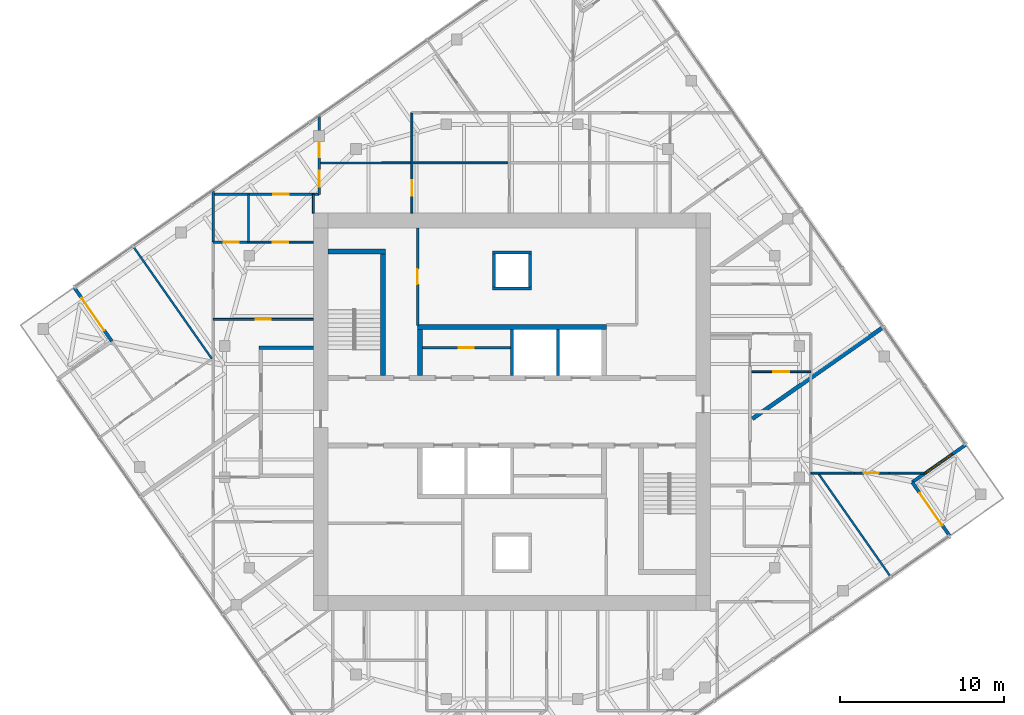
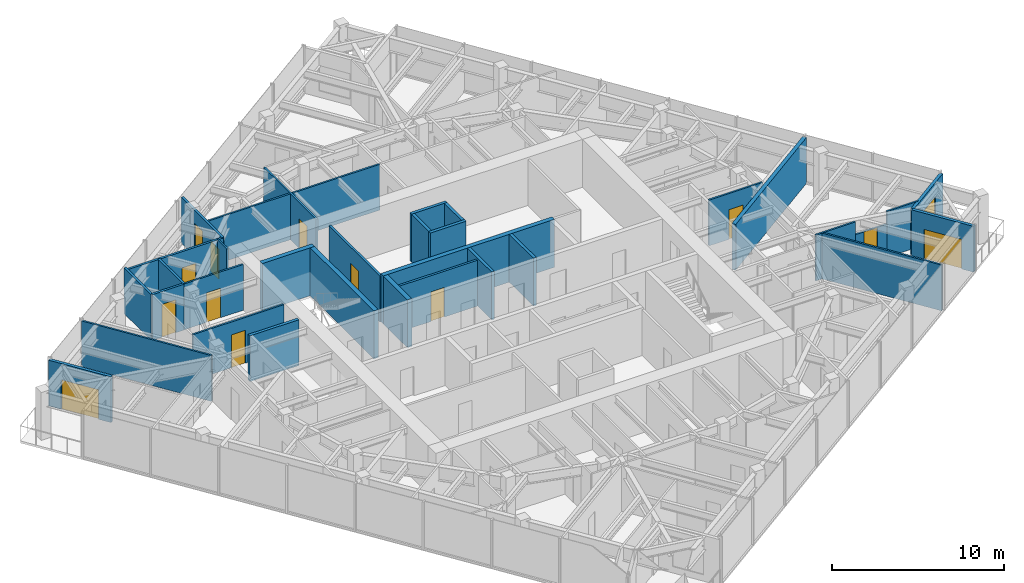
# One storey, part 10 of 13: 33 walls, 13 doors, 1 window, 14 openings.
"""IFC4 building model written with IfcOpenShell, lengths in metres."""

from ifc_helpers import new_model, si_unit, direction, frame, frame_2d, origin, place, context, subcontext, project, spatial, rectangle, extrude, material, layer, layer_set, type_object, element, fill, save


model = new_model("IFC4")

# Units and contexts
model_context = context("Model", 3, precision=1e-05, world=origin(), true_north=direction((0.0, 1.0)))
body_context = subcontext(model_context, "Body", "Model", "MODEL_VIEW")
ifc_project = project(units=[si_unit("LENGTHUNIT", "METRE"), si_unit("AREAUNIT", "SQUARE_METRE"), si_unit("VOLUMEUNIT", "CUBIC_METRE"), si_unit("PLANEANGLEUNIT", "RADIAN"), si_unit("MASSUNIT", "GRAM", prefix="KILO")], contexts=[model_context])

# Site, building, storey
site_placement = place(None, origin())
site = spatial("IfcSite", under=ifc_project, at=site_placement, CompositionType="ELEMENT")
building_placement = place(site_placement, origin())
building = spatial("IfcBuilding", under=site, at=building_placement, Name="Torsade Residences", CompositionType="ELEMENT")
storey_placement = place(building_placement, frame((0.0, 0.0, 260.800048828125)))
storey = spatial("IfcBuildingStorey", under=building, at=storey_placement, Name="L72", CompositionType="ELEMENT", Elevation=260.800048828125)

# Walls
ifc_material_1 = material(Name="Concrete 80 MPa", Category="concrete")
ifc_layer_1 = layer(ifc_material_1, 0.300048828125)
ifc_layer_set_1 = layer_set([ifc_layer_1], Name="Concrete 80 MPa")
wall_type_1 = type_object("IfcWallType", Name="CORE INTERNAL WALL 300", PredefinedType="SHEAR", material=ifc_layer_set_1)
wall_1_placement = place(storey_placement, frame((34.25, 35.14990234375, 0.0), z_axis=(0.0, 0.0, 1.0), x_axis=(1.0, 0.0, 0.0)))
element("IfcWall", 1, at=wall_1_placement, inside=storey, type_object=wall_type_1, Name="Core wall BN L72", PredefinedType="SHEAR", context=body_context, shape_type="SweptSolid", body=[
    extrude(rectangle(XDim=11.5, YDim=0.300048828125, at=frame_2d((5.75, 0.0))), origin(), (0.0, 0.0, 1.0), 3.39990234375),
])
wall_2_placement = place(storey_placement, frame((34.39990234375, 32.199951171875, 0.0), z_axis=(0.0, 0.0, 1.0), x_axis=(0.0, 1.0, 0.0)))
element("IfcWall", 2, at=wall_2_placement, inside=storey, type_object=wall_type_1, Name="Core wall DN0 L72", PredefinedType="SHEAR", context=body_context, shape_type="SweptSolid", body=[
    extrude(rectangle(XDim=2.800048828125, YDim=0.300048828125, at=frame_2d((1.39990234375, 0.0))), origin(), (0.0, 0.0, 1.0), 3.39990234375),
])
wall_3_placement = place(storey_placement, frame((32.14990234375, 32.199951171875, 0.0), z_axis=(0.0, 0.0, 1.0), x_axis=(0.0, 1.0, 0.0)))
element("IfcWall", 3, at=wall_3_placement, inside=storey, type_object=wall_type_1, Name="Core wall ST1E L72", PredefinedType="SHEAR", context=body_context, shape_type="SweptSolid", body=[
    extrude(rectangle(XDim=7.699951171875, YDim=0.300048828125, at=frame_2d((3.85009765625, 0.0))), origin(), (0.0, 0.0, 1.0), 3.39990234375),
])
wall_4_placement = place(storey_placement, frame((28.800048828125, 39.75, 0.0), z_axis=(0.0, 0.0, 1.0), x_axis=(1.0, 0.0, 0.0)))
element("IfcWall", 4, at=wall_4_placement, inside=storey, type_object=wall_type_1, Name="Core wall ST1N L72", PredefinedType="SHEAR", context=body_context, shape_type="SweptSolid", body=[
    extrude(rectangle(XDim=3.5, YDim=0.300048828125, at=frame_2d((1.75, 0.0))), origin(), (0.0, 0.0, 1.0), 3.39990234375),
])
ifc_material_2 = material(Name="Plasterboard on steel stud", Category="steel")
ifc_layer_2 = layer(ifc_material_2, 0.199951171875)
ifc_layer_set_2 = layer_set([ifc_layer_2], Name="Plasterboard on steel stud")
wall_type_2 = type_object("IfcWallType", Name="CORRIDOR WALL 200", PredefinedType="PARTITIONING", material=ifc_layer_set_2)
wall_5_placement = place(storey_placement, frame((27.89990234375, 33.89990234375, 0.0), z_axis=(0.0, 0.0, 1.0), x_axis=(-1.0, 0.0, 0.0)))
element("IfcWall", 5, at=wall_5_placement, inside=storey, type_object=wall_type_2, Name="Corridor wall L72", PredefinedType="PARTITIONING", context=body_context, shape_type="SweptSolid", body=[
    extrude(rectangle(XDim=3.2998046875, YDim=0.199951171875, at=frame_2d((1.64990234375, 0.0))), origin(), (0.0, 0.0, 1.0), 3.25),
])
ifc_material_3 = material(Name="Reinforced blockwork", Category="masonry")
ifc_layer_3 = layer(ifc_material_3, 0.199951171875)
ifc_layer_set_3 = layer_set([ifc_layer_3], Name="Reinforced blockwork")
wall_type_3 = type_object("IfcWallType", Name="LIFT SHAFT DIVIDING WALL 200", PredefinedType="SOLIDWALL", material=ifc_layer_set_3)
for number, where, z_axis, x_axis, name in (
    (6, (40.0, 32.199951171875, 0.0), (0.0, 0.0, 1.0), (0.0, 1.0, 0.0), "Core wall DN2 L72"),
    (7, (42.800048828125, 32.199951171875, 0.0), (0.0, 0.0, 1.0), (0.0, 1.0, 0.0), "Core wall DN3 L72"),
):
    element("IfcWall", number, at=place(storey_placement, frame(where, z_axis=z_axis, x_axis=x_axis)), inside=storey, type_object=wall_type_3, Name=name, PredefinedType="SOLIDWALL", context=body_context, shape_type="SweptSolid", body=[
        extrude(rectangle(XDim=2.800048828125, YDim=0.199951171875, at=frame_2d((1.39990234375, 0.0))), origin(), (0.0, 0.0, 1.0), 3.39990234375),
    ])
ifc_material_4 = material(Name="Plasterboard on steel stud", Category="steel")
ifc_layer_4 = layer(ifc_material_4, 0.1201171875)
ifc_layer_set_4 = layer_set([ifc_layer_4], Name="Plasterboard on steel stud")
wall_type_4 = type_object("IfcWallType", Name="PARTITION 120", PredefinedType="PARTITIONING", material=ifc_layer_set_4)
wall_6_placement = place(storey_placement, frame((65.106201171875, 26.264892578125, 0.0), z_axis=(0.0, 0.0, 1.0), x_axis=(-1.0, 0.0, 0.0)))
element("IfcWall", 8, at=wall_6_placement, inside=storey, type_object=wall_type_4, Name="Partition L72", PredefinedType="PARTITIONING", context=body_context, shape_type="SweptSolid", body=[
    extrude(rectangle(XDim=2.144287109375, YDim=0.1201171875, at=frame_2d((1.072265625, 0.0))), origin(), (0.0, 0.0, 1.0), 3.25),
])

# Wall, opening, door
wall_7_placement = place(storey_placement, frame((62.9619140625, 26.264892578125, 0.0), z_axis=(0.0, 0.0, 1.0), x_axis=(-1.0, 0.0, 0.0)))
wall_7 = element("IfcWall", 9, at=wall_7_placement, inside=storey, type_object=wall_type_4, Name="Partition L72", PredefinedType="PARTITIONING", context=body_context, shape_type="SweptSolid", body=[
    extrude(rectangle(XDim=2.092041015625, YDim=0.1201171875, at=frame_2d((1.0458984375, 0.0))), origin(), (0.0, 0.0, 1.0), 2.349853515625),
])
opening_1_placement = place(wall_7_placement, frame((0.62548828125, 0.0, 0.0)))
opening_1 = element("IfcOpeningElement", 10, at=opening_1_placement, cuts=wall_7, Name="Opening D02", PredefinedType="OPENING", context=body_context, shape_type="SweptSolid", body=[
    extrude(rectangle(XDim=0.919921875, YDim=2.340087890625, at=frame_2d((0.4599609375, 1.169921875))), frame((0.0, 0.070068359375, 0.0), z_axis=(0.0, -1.0, 0.0), x_axis=(1.0, 0.0, 0.0)), (0.0, 0.0, 1.0), 0.14013671875),
])
ifc_material_5 = material(Name="Hollow-core timber door", Category="wood")
door_type_1 = type_object("IfcDoorType", Name="INTERNAL DOOR 920x2340", OperationType="NOTDEFINED", PredefinedType="DOOR", material=ifc_material_5)
door_1_placement = place(opening_1_placement, origin())
door_1 = element("IfcDoor", 11, at=door_1_placement, inside=storey, type_object=door_type_1, Name="Door Living room to Bedroom 3", OperationType="SINGLE_SWING_RIGHT", OverallHeight=2.340087890625, OverallWidth=0.919921875, PredefinedType="DOOR", context=body_context, shape_type="SweptSolid", body=[
    extrude(rectangle(XDim=0.919921875, YDim=2.340087890625, at=frame_2d((0.4599609375, 1.169921875))), frame((0.0, 0.02490234375, 0.0), z_axis=(0.0, -1.0, 0.0), x_axis=(1.0, 0.0, 0.0)), (0.0, 0.0, 1.0), 0.050048828125),
])
fill(opening_1, door_1)

# Walls
wall_8_placement = place(storey_placement, frame((60.869873046875, 26.264892578125, 0.0), z_axis=(0.0, 0.0, 1.0), x_axis=(-1.0, 0.0, 0.0)))
element("IfcWall", 12, at=wall_8_placement, inside=storey, type_object=wall_type_4, Name="Partition L72", PredefinedType="PARTITIONING", context=body_context, shape_type="SweptSolid", body=[
    extrude(rectangle(XDim=2.669921875, YDim=0.1201171875, at=frame_2d((1.3349609375, 0.0))), origin(), (0.0, 0.0, 1.0), 3.25),
])
wall_9_placement = place(storey_placement, frame((63.060302734375, 19.94921875, 0.0), z_axis=(0.0, 0.0, 1.0), x_axis=(-0.573562225439, 0.819161994693, 0.0)))
element("IfcWall", 13, at=wall_9_placement, inside=storey, type_object=wall_type_4, Name="Partition L72", PredefinedType="PARTITIONING", context=body_context, shape_type="SweptSolid", body=[
    extrude(rectangle(XDim=7.7099609375, YDim=0.1201171875, at=frame_2d((3.85498046875, 0.0))), origin(), (0.0, 0.0, 1.0), 3.25),
])

# Wall, opening, door
wall_10_placement = place(storey_placement, frame((58.199951171875, 32.434326171875, 0.0), z_axis=(0.0, 0.0, 1.0), x_axis=(-1.0, 0.0, 0.0)))
wall_10 = element("IfcWall", 14, at=wall_10_placement, inside=storey, type_object=wall_type_4, Name="Partition L72", PredefinedType="PARTITIONING", context=body_context, shape_type="SweptSolid", body=[
    extrude(rectangle(XDim=3.599853515625, YDim=0.1201171875, at=frame_2d((1.7998046875, 0.0))), origin(), (0.0, 0.0, 1.0), 3.25),
])
opening_2_placement = place(wall_10_placement, frame((1.320068359375, 0.0, 0.0)))
opening_2 = element("IfcOpeningElement", 15, at=opening_2_placement, cuts=wall_10, Name="Opening D05", PredefinedType="OPENING", context=body_context, shape_type="SweptSolid", body=[
    extrude(rectangle(XDim=0.9599609375, YDim=2.10009765625, at=frame_2d((0.47998046875, 1.050048828125))), frame((0.0, 0.070068359375, 0.0), z_axis=(0.0, -1.0, 0.0), x_axis=(1.0, 0.0, 0.0)), (0.0, 0.0, 1.0), 0.14013671875),
])
ifc_material_6 = material(Name="Hollow-core timber door in a steel cavity frame", Category="steel")
door_type_2 = type_object("IfcDoorType", Name="BATHROOM CAVITY SLIDING DOOR 960", OperationType="SLIDING_TO_LEFT", PredefinedType="DOOR", material=ifc_material_6)
door_2_placement = place(opening_2_placement, origin())
door_2 = element("IfcDoor", 16, at=door_2_placement, inside=storey, type_object=door_type_2, Name="Door Kitchen and dining to Bathroom", OperationType="SLIDING_TO_LEFT", OverallHeight=2.10009765625, OverallWidth=0.9599609375, PredefinedType="DOOR", context=body_context, shape_type="SweptSolid", body=[
    extrude(rectangle(XDim=0.9599609375, YDim=2.10009765625, at=frame_2d((0.47998046875, 1.050048828125))), frame((0.0, 0.02490234375, 0.0), z_axis=(0.0, -1.0, 0.0), x_axis=(1.0, 0.0, 0.0)), (0.0, 0.0, 1.0), 0.050048828125),
])
fill(opening_2, door_2)

wall_11_placement = place(storey_placement, frame((21.800048828125, 35.619140625, 0.0), z_axis=(0.0, 0.0, 1.0), x_axis=(1.0, 0.0, 0.0)))
wall_11 = element("IfcWall", 17, at=wall_11_placement, inside=storey, type_object=wall_type_4, Name="Partition L72", PredefinedType="PARTITIONING", context=body_context, shape_type="SweptSolid", body=[
    extrude(rectangle(XDim=6.099853515625, YDim=0.1201171875, at=frame_2d((3.0498046875, 0.0))), origin(), (0.0, 0.0, 1.0), 3.25),
])
opening_3_placement = place(wall_11_placement, frame((2.590087890625, 0.0, 0.0)))
opening_3 = element("IfcOpeningElement", 18, at=opening_3_placement, cuts=wall_11, Name="Opening D02", PredefinedType="OPENING", context=body_context, shape_type="SweptSolid", body=[
    extrude(rectangle(XDim=0.919921875, YDim=2.340087890625, at=frame_2d((0.4599609375, 1.169921875))), frame((0.0, 0.070068359375, 0.0), z_axis=(0.0, -1.0, 0.0), x_axis=(1.0, 0.0, 0.0)), (0.0, 0.0, 1.0), 0.14013671875),
])
door_3_placement = place(opening_3_placement, origin())
door_3 = element("IfcDoor", 19, at=door_3_placement, inside=storey, type_object=door_type_1, Name="Door Kitchen and dining to Scullery", OperationType="SINGLE_SWING_LEFT", OverallHeight=2.340087890625, OverallWidth=0.919921875, PredefinedType="DOOR", context=body_context, shape_type="SweptSolid", body=[
    extrude(rectangle(XDim=0.919921875, YDim=2.340087890625, at=frame_2d((0.4599609375, 1.169921875))), frame((0.0, 0.02490234375, 0.0), z_axis=(0.0, -1.0, 0.0), x_axis=(1.0, 0.0, 0.0)), (0.0, 0.0, 1.0), 0.050048828125),
])
fill(opening_3, door_3)

wall_12_placement = place(storey_placement, frame((23.901611328125, 40.328125, 0.0), z_axis=(0.0, 0.0, 1.0), x_axis=(1.0, 0.0, 0.0)))
wall_12 = element("IfcWall", 20, at=wall_12_placement, inside=storey, type_object=wall_type_4, Name="Partition L72", PredefinedType="PARTITIONING", context=body_context, shape_type="SweptSolid", body=[
    extrude(rectangle(XDim=3.998291015625, YDim=0.1201171875, at=frame_2d((1.9990234375, 0.0))), origin(), (0.0, 0.0, 1.0), 3.25),
])
opening_4_placement = place(wall_12_placement, frame((1.51904296875, 0.0, 0.0)))
opening_4 = element("IfcOpeningElement", 21, at=opening_4_placement, cuts=wall_12, Name="Opening D05", PredefinedType="OPENING", context=body_context, shape_type="SweptSolid", body=[
    extrude(rectangle(XDim=0.9599609375, YDim=2.10009765625, at=frame_2d((0.47998046875, 1.050048828125))), frame((0.0, 0.070068359375, 0.0), z_axis=(0.0, -1.0, 0.0), x_axis=(1.0, 0.0, 0.0)), (0.0, 0.0, 1.0), 0.14013671875),
])
door_4_placement = place(opening_4_placement, origin())
door_4 = element("IfcDoor", 22, at=door_4_placement, inside=storey, type_object=door_type_2, Name="Door Scullery to WC", OperationType="SLIDING_TO_LEFT", OverallHeight=2.10009765625, OverallWidth=0.9599609375, PredefinedType="DOOR", context=body_context, shape_type="SweptSolid", body=[
    extrude(rectangle(XDim=0.9599609375, YDim=2.10009765625, at=frame_2d((0.47998046875, 1.050048828125))), frame((0.0, 0.02490234375, 0.0), z_axis=(0.0, -1.0, 0.0), x_axis=(1.0, 0.0, 0.0)), (0.0, 0.0, 1.0), 0.050048828125),
])
fill(opening_4, door_4)

# Wall
wall_13_placement = place(storey_placement, frame((27.89990234375, 42.10009765625, 0.0), z_axis=(0.0, 0.0, 1.0), x_axis=(0.0, 1.0, 0.0)))
element("IfcWall", 23, at=wall_13_placement, inside=storey, type_object=wall_type_4, Name="Partition L72", PredefinedType="PARTITIONING", context=body_context, shape_type="SweptSolid", body=[
    extrude(rectangle(XDim=1.13818359375, YDim=0.1201171875, at=frame_2d((0.569091796875, 0.0))), origin(), (0.0, 0.0, 1.0), 3.25),
])

# Wall, opening, door
wall_14_placement = place(storey_placement, frame((33.906982421875, 48.199951171875, 0.0), z_axis=(0.0, 0.0, 1.0), x_axis=(0.0, -1.0, 0.0)))
wall_14 = element("IfcWall", 24, at=wall_14_placement, inside=storey, type_object=wall_type_4, Name="Partition L72", PredefinedType="PARTITIONING", context=body_context, shape_type="SweptSolid", body=[
    extrude(rectangle(XDim=6.099853515625, YDim=0.1201171875, at=frame_2d((3.0498046875, 0.0))), origin(), (0.0, 0.0, 1.0), 3.25),
])
opening_5_placement = place(wall_14_placement, frame((4.095947265625, 0.0, 0.0)))
opening_5 = element("IfcOpeningElement", 25, at=opening_5_placement, cuts=wall_14, Name="Opening D05", PredefinedType="OPENING", context=body_context, shape_type="SweptSolid", body=[
    extrude(rectangle(XDim=0.9599609375, YDim=2.10009765625, at=frame_2d((0.47998046875, 1.050048828125))), frame((0.0, 0.070068359375, 0.0), z_axis=(0.0, -1.0, 0.0), x_axis=(1.0, 0.0, 0.0)), (0.0, 0.0, 1.0), 0.14013671875),
])
door_5_placement = place(opening_5_placement, origin())
door_5 = element("IfcDoor", 26, at=door_5_placement, inside=storey, type_object=door_type_2, Name="Door Bathroom to Dressing room 2", OperationType="SLIDING_TO_LEFT", OverallHeight=2.10009765625, OverallWidth=0.9599609375, PredefinedType="DOOR", context=body_context, shape_type="SweptSolid", body=[
    extrude(rectangle(XDim=0.9599609375, YDim=2.10009765625, at=frame_2d((0.47998046875, 1.050048828125))), frame((0.0, 0.02490234375, 0.0), z_axis=(0.0, -1.0, 0.0), x_axis=(1.0, 0.0, 0.0)), (0.0, 0.0, 1.0), 0.050048828125),
])
fill(opening_5, door_5)

# Walls
wall_15_placement = place(storey_placement, frame((28.255126953125, 45.148193359375, 0.0), z_axis=(0.0, 0.0, 1.0), x_axis=(0.99999998913, 0.000147442917, 0.0)))
element("IfcWall", 27, at=wall_15_placement, inside=storey, type_object=wall_type_4, Name="Partition L72", PredefinedType="PARTITIONING", context=body_context, shape_type="SweptSolid", body=[
    extrude(rectangle(XDim=11.5908203125, YDim=0.1201171875, at=frame_2d((5.79541015625, 0.0))), origin(), (0.0, 0.0, 1.0), 3.25),
])
wall_16_placement = place(storey_placement, frame((16.939697265625, 40.05078125, 0.0), z_axis=(0.0, 0.0, 1.0), x_axis=(0.573576357466, -0.819152099525, 0.0)))
element("IfcWall", 28, at=wall_16_placement, inside=storey, type_object=wall_type_4, Name="Partition L72", PredefinedType="PARTITIONING", context=body_context, shape_type="SweptSolid", body=[
    extrude(rectangle(XDim=8.3349609375, YDim=0.1201171875, at=frame_2d((4.16748046875, 0.0))), origin(), (0.0, 0.0, 1.0), 3.25),
])
ifc_material_7 = material(Name="Masonry-lined stud party wall", Category="masonry")
ifc_layer_5 = layer(ifc_material_7, 0.25)
ifc_layer_set_5 = layer_set([ifc_layer_5], Name="Masonry-lined stud party wall")
wall_type_5 = type_object("IfcWallType", Name="PARTY WALL 250", PredefinedType="PARTITIONING", material=ifc_layer_set_5)
wall_17_placement = place(storey_placement, frame((62.630615234375, 35.164306640625, 0.0), z_axis=(0.0, 0.0, 1.0), x_axis=(-0.81915902312, -0.573566469418, 0.0)))
element("IfcWall", 29, at=wall_17_placement, inside=storey, type_object=wall_type_5, Name="Party wall L72", PredefinedType="PARTITIONING", context=body_context, shape_type="SweptSolid", body=[
    extrude(rectangle(XDim=9.755859375, YDim=0.25, at=frame_2d((4.8779296875, 0.0))), origin(), (0.0, 0.0, 1.0), 3.25),
])
ifc_material_8 = material(Name="Reinforced blockwork", Category="masonry")
ifc_layer_6 = layer(ifc_material_8, 0.199951171875)
ifc_layer_set_6 = layer_set([ifc_layer_6], Name="Reinforced blockwork")
wall_type_6 = type_object("IfcWallType", Name="RISER SHAFT WALL 200", PredefinedType="SOLIDWALL", material=ifc_layer_set_6)
for number, where, z_axis, x_axis, name in (
    (30, (38.89990234375, 37.60009765625, 0.0), (0.0, 0.0, 1.0), (0.0, 1.0, 0.0), "Core wall RS1a L72"),
    (31, (41.10009765625, 37.60009765625, 0.0), (0.0, 0.0, 1.0), (0.0, 1.0, 0.0), "Core wall RS1b L72"),
):
    element("IfcWall", number, at=place(storey_placement, frame(where, z_axis=z_axis, x_axis=x_axis)), inside=storey, type_object=wall_type_6, Name=name, PredefinedType="SOLIDWALL", context=body_context, shape_type="SweptSolid", body=[
        extrude(rectangle(XDim=2.0, YDim=0.199951171875, at=frame_2d((1.0, 0.0))), origin(), (0.0, 0.0, 1.0), 3.39990234375),
    ])
for number, where, z_axis, x_axis, name in (
    (32, (38.800048828125, 37.5, 0.0), (0.0, 0.0, 1.0), (1.0, 0.0, 0.0), "Core wall RS1c L72"),
    (33, (38.800048828125, 39.699951171875, 0.0), (0.0, 0.0, 1.0), (1.0, 0.0, 0.0), "Core wall RS1d L72"),
):
    element("IfcWall", number, at=place(storey_placement, frame(where, z_axis=z_axis, x_axis=x_axis)), inside=storey, type_object=wall_type_6, Name=name, PredefinedType="SOLIDWALL", context=body_context, shape_type="SweptSolid", body=[
        extrude(rectangle(XDim=2.39990234375, YDim=0.199951171875, at=frame_2d((1.199951171875, 0.0))), origin(), (0.0, 0.0, 1.0), 3.39990234375),
    ])

# Wall, opening, door
ifc_material_9 = material(Name="Reinforced blockwork", Category="masonry")
ifc_layer_7 = layer(ifc_material_9, 0.14990234375)
ifc_layer_set_7 = layer_set([ifc_layer_7], Name="Reinforced blockwork")
wall_type_7 = type_object("IfcWallType", Name="SERVICE ROOM WALL 150", PredefinedType="SOLIDWALL", material=ifc_layer_set_7)
wall_18_placement = place(storey_placement, frame((34.25, 41.199951171875, 0.0), z_axis=(0.0, 0.0, 1.0), x_axis=(0.0, -1.0, 0.0)))
wall_18 = element("IfcWall", 34, at=wall_18_placement, inside=storey, type_object=wall_type_7, Name="Service room wall L72", PredefinedType="SOLIDWALL", context=body_context, shape_type="SweptSolid", body=[
    extrude(rectangle(XDim=5.949951171875, YDim=0.14990234375, at=frame_2d((2.97509765625, 0.0))), origin(), (0.0, 0.0, 1.0), 3.25),
])
opening_6_placement = place(wall_18_placement, frame((2.514892578125, 0.0, 0.0)))
opening_6 = element("IfcOpeningElement", 35, at=opening_6_placement, cuts=wall_18, Name="Opening D06", PredefinedType="OPENING", context=body_context, shape_type="SweptSolid", body=[
    extrude(rectangle(XDim=0.919921875, YDim=2.10009765625, at=frame_2d((0.4599609375, 1.050048828125))), frame((0.0, 0.0849609375, 0.0), z_axis=(0.0, -1.0, 0.0), x_axis=(1.0, 0.0, 0.0)), (0.0, 0.0, 1.0), 0.169921875),
])
ifc_material_10 = material(Name="Steel-framed fire door", Category="steel")
door_type_3 = type_object("IfcDoorType", Name="FIRE DOOR 920", OperationType="NOTDEFINED", PredefinedType="DOOR", material=ifc_material_10)
door_6_placement = place(opening_6_placement, origin())
door_6 = element("IfcDoor", 36, at=door_6_placement, inside=storey, type_object=door_type_3, Name="Door Meter store to Electrical riser room", OperationType="SINGLE_SWING_RIGHT", OverallHeight=2.10009765625, OverallWidth=0.919921875, PredefinedType="DOOR", context=body_context, shape_type="SweptSolid", body=[
    extrude(rectangle(XDim=0.919921875, YDim=2.10009765625, at=frame_2d((0.4599609375, 1.050048828125))), frame((0.0, 0.02490234375, 0.0), z_axis=(0.0, -1.0, 0.0), x_axis=(1.0, 0.0, 0.0)), (0.0, 0.0, 1.0), 0.050048828125),
])
fill(opening_6, door_6)

wall_19_placement = place(storey_placement, frame((21.800048828125, 40.328125, 0.0), z_axis=(0.0, 0.0, 1.0), x_axis=(1.0, 0.0, 0.0)))
wall_19 = element("IfcWall", 37, at=wall_19_placement, inside=storey, type_object=wall_type_7, Name="Service room wall L72", PredefinedType="SOLIDWALL", context=body_context, shape_type="SweptSolid", body=[
    extrude(rectangle(XDim=2.1015625, YDim=0.14990234375, at=frame_2d((1.05078125, 0.0))), origin(), (0.0, 0.0, 1.0), 3.25),
])
opening_7_placement = place(wall_19_placement, frame((0.640869140625, 0.0, 0.0)))
opening_7 = element("IfcOpeningElement", 38, at=opening_7_placement, cuts=wall_19, Name="Opening D02", PredefinedType="OPENING", context=body_context, shape_type="SweptSolid", body=[
    extrude(rectangle(XDim=0.919921875, YDim=2.340087890625, at=frame_2d((0.4599609375, 1.169921875))), frame((0.0, 0.0849609375, 0.0), z_axis=(0.0, -1.0, 0.0), x_axis=(1.0, 0.0, 0.0)), (0.0, 0.0, 1.0), 0.169921875),
])
door_7_placement = place(opening_7_placement, origin())
door_7 = element("IfcDoor", 39, at=door_7_placement, inside=storey, type_object=door_type_1, Name="Door Scullery to Linen store 4", OperationType="SINGLE_SWING_RIGHT", OverallHeight=2.340087890625, OverallWidth=0.919921875, PredefinedType="DOOR", context=body_context, shape_type="SweptSolid", body=[
    extrude(rectangle(XDim=0.919921875, YDim=2.340087890625, at=frame_2d((0.4599609375, 1.169921875))), frame((0.0, 0.02490234375, 0.0), z_axis=(0.0, -1.0, 0.0), x_axis=(1.0, 0.0, 0.0)), (0.0, 0.0, 1.0), 0.050048828125),
])
fill(opening_7, door_7)

wall_20_placement = place(storey_placement, frame((21.800048828125, 43.23828125, 0.0), z_axis=(0.0, 0.0, 1.0), x_axis=(1.0, 0.0, 0.0)))
wall_20 = element("IfcWall", 40, at=wall_20_placement, inside=storey, type_object=wall_type_7, Name="Service room wall L72", PredefinedType="SOLIDWALL", context=body_context, shape_type="SweptSolid", body=[
    extrude(rectangle(XDim=6.455078125, YDim=0.14990234375, at=frame_2d((3.2275390625, 0.0))), origin(), (0.0, 0.0, 1.0), 3.25),
])
opening_8_placement = place(wall_20_placement, frame((3.645751953125, 0.0, 0.0)))
opening_8 = element("IfcOpeningElement", 41, at=opening_8_placement, cuts=wall_20, Name="Opening D05", PredefinedType="OPENING", context=body_context, shape_type="SweptSolid", body=[
    extrude(rectangle(XDim=0.9599609375, YDim=2.10009765625, at=frame_2d((0.47998046875, 1.050048828125))), frame((0.0, 0.0849609375, 0.0), z_axis=(0.0, -1.0, 0.0), x_axis=(1.0, 0.0, 0.0)), (0.0, 0.0, 1.0), 0.169921875),
])
door_8_placement = place(opening_8_placement, origin())
door_8 = element("IfcDoor", 42, at=door_8_placement, inside=storey, type_object=door_type_2, Name="Door WC to Linen store", OperationType="SLIDING_TO_LEFT", OverallHeight=2.10009765625, OverallWidth=0.9599609375, PredefinedType="DOOR", context=body_context, shape_type="SweptSolid", body=[
    extrude(rectangle(XDim=0.9599609375, YDim=2.10009765625, at=frame_2d((0.47998046875, 1.050048828125))), frame((0.0, 0.02490234375, 0.0), z_axis=(0.0, -1.0, 0.0), x_axis=(1.0, 0.0, 0.0)), (0.0, 0.0, 1.0), 0.050048828125),
])
fill(opening_8, door_8)

# Wall, openings, doors
wall_21_placement = place(storey_placement, frame((28.255126953125, 43.23828125, 0.0), z_axis=(0.0, 0.0, 1.0), x_axis=(0.0, 1.0, 0.0)))
wall_21 = element("IfcWall", 43, at=wall_21_placement, inside=storey, type_object=wall_type_7, Name="Service room wall L72", PredefinedType="SOLIDWALL", context=body_context, shape_type="SweptSolid", body=[
    extrude(rectangle(XDim=4.735595703125, YDim=0.14990234375, at=frame_2d((2.36767578125, 0.0))), origin(), (0.0, 0.0, 1.0), 3.25),
])
opening_9_placement = place(wall_21_placement, frame((2.261962890625, 0.0, 0.0)))
opening_9 = element("IfcOpeningElement", 44, at=opening_9_placement, cuts=wall_21, Name="Opening D02", PredefinedType="OPENING", context=body_context, shape_type="SweptSolid", body=[
    extrude(rectangle(XDim=0.919921875, YDim=2.340087890625, at=frame_2d((0.4599609375, 1.169921875))), frame((0.0, 0.0849609375, 0.0), z_axis=(0.0, -1.0, 0.0), x_axis=(1.0, 0.0, 0.0)), (0.0, 0.0, 1.0), 0.169921875),
])
opening_10_placement = place(wall_21_placement, frame((0.474853515625, 0.0, 0.0)))
opening_10 = element("IfcOpeningElement", 45, at=opening_10_placement, cuts=wall_21, Name="Opening D05", PredefinedType="OPENING", context=body_context, shape_type="SweptSolid", body=[
    extrude(rectangle(XDim=0.9599609375, YDim=2.10009765625, at=frame_2d((0.47998046875, 1.050048828125))), frame((0.0, 0.0849609375, 0.0), z_axis=(0.0, -1.0, 0.0), x_axis=(1.0, 0.0, 0.0)), (0.0, 0.0, 1.0), 0.169921875),
])
door_9_placement = place(opening_10_placement, origin())
door_9 = element("IfcDoor", 46, at=door_9_placement, inside=storey, type_object=door_type_2, Name="Door Linen store to Bathroom", OperationType="SLIDING_TO_LEFT", OverallHeight=2.10009765625, OverallWidth=0.9599609375, PredefinedType="DOOR", context=body_context, shape_type="SweptSolid", body=[
    extrude(rectangle(XDim=0.9599609375, YDim=2.10009765625, at=frame_2d((0.47998046875, 1.050048828125))), frame((0.0, 0.02490234375, 0.0), z_axis=(0.0, -1.0, 0.0), x_axis=(1.0, 0.0, 0.0)), (0.0, 0.0, 1.0), 0.050048828125),
])
fill(opening_10, door_9)
door_10_placement = place(opening_9_placement, origin())
door_10 = element("IfcDoor", 47, at=door_10_placement, inside=storey, type_object=door_type_1, Name="Door Linen store to Family room", OperationType="SINGLE_SWING_RIGHT", OverallHeight=2.340087890625, OverallWidth=0.919921875, PredefinedType="DOOR", context=body_context, shape_type="SweptSolid", body=[
    extrude(rectangle(XDim=0.919921875, YDim=2.340087890625, at=frame_2d((0.4599609375, 1.169921875))), frame((0.0, 0.02490234375, 0.0), z_axis=(0.0, -1.0, 0.0), x_axis=(1.0, 0.0, 0.0)), (0.0, 0.0, 1.0), 0.050048828125),
])
fill(opening_9, door_10)

# Walls
wall_22_placement = place(storey_placement, frame((23.95166015625, 40.328125, 0.0), z_axis=(0.0, 0.0, 1.0), x_axis=(0.0, 1.0, 0.0)))
element("IfcWall", 48, at=wall_22_placement, inside=storey, type_object=wall_type_7, Name="Service room wall L72", PredefinedType="SOLIDWALL", context=body_context, shape_type="SweptSolid", body=[
    extrude(rectangle(XDim=2.91015625, YDim=0.14990234375, at=frame_2d((1.455078125, 0.0))), origin(), (0.0, 0.0, 1.0), 3.25),
])
wall_23_placement = place(storey_placement, frame((21.800048828125, 40.328125, 0.0), z_axis=(0.0, 0.0, 1.0), x_axis=(0.0, 1.0, 0.0)))
element("IfcWall", 49, at=wall_23_placement, inside=storey, type_object=wall_type_7, Name="Service room wall L72", PredefinedType="SOLIDWALL", context=body_context, shape_type="SweptSolid", body=[
    extrude(rectangle(XDim=3.1259765625, YDim=0.14990234375, at=frame_2d((1.56298828125, 0.0))), origin(), (0.0, 0.0, 1.0), 3.25),
])

# Wall, opening, door
wall_24_placement = place(storey_placement, frame((34.550048828125, 33.89990234375, 0.0), z_axis=(0.0, 0.0, 1.0), x_axis=(1.0, 0.0, 0.0)))
wall_24 = element("IfcWall", 50, at=wall_24_placement, inside=storey, type_object=wall_type_7, Name="Service room wall L72", PredefinedType="SOLIDWALL", context=body_context, shape_type="SweptSolid", body=[
    extrude(rectangle(XDim=5.349853515625, YDim=0.14990234375, at=frame_2d((2.6748046875, 0.0))), origin(), (0.0, 0.0, 1.0), 3.25),
])
opening_11_placement = place(wall_24_placement, frame((2.215087890625, 0.0, 0.0)))
opening_11 = element("IfcOpeningElement", 51, at=opening_11_placement, cuts=wall_24, Name="Opening D06", PredefinedType="OPENING", context=body_context, shape_type="SweptSolid", body=[
    extrude(rectangle(XDim=0.919921875, YDim=2.10009765625, at=frame_2d((0.4599609375, 1.050048828125))), frame((0.0, 0.0849609375, 0.0), z_axis=(0.0, -1.0, 0.0), x_axis=(1.0, 0.0, 0.0)), (0.0, 0.0, 1.0), 0.169921875),
])
door_11_placement = place(opening_11_placement, origin())
door_11 = element("IfcDoor", 52, at=door_11_placement, inside=storey, type_object=door_type_3, Name="Door Residents storage L72A to Equipment store L72B", OperationType="SINGLE_SWING_RIGHT", OverallHeight=2.10009765625, OverallWidth=0.919921875, PredefinedType="DOOR", context=body_context, shape_type="SweptSolid", body=[
    extrude(rectangle(XDim=0.919921875, YDim=2.10009765625, at=frame_2d((0.4599609375, 1.050048828125))), frame((0.0, 0.02490234375, 0.0), z_axis=(0.0, -1.0, 0.0), x_axis=(1.0, 0.0, 0.0)), (0.0, 0.0, 1.0), 0.050048828125),
])
fill(opening_11, door_11)

ifc_material_11 = material(Name="Stone-faced precast concrete 40 MPa panel", Category="masonry")
ifc_layer_8 = layer(ifc_material_11, 0.199951171875)
ifc_layer_set_8 = layer_set([ifc_layer_8], Name="Stone-faced precast concrete 40 MPa panel")
wall_type_8 = type_object("IfcWallType", Name="TERRACE WALL 200", PredefinedType="SOLIDWALL", material=ifc_layer_set_8)
wall_25_placement = place(storey_placement, frame((66.6669921875, 22.42578125, 0.0), z_axis=(0.0, 0.0, 1.0), x_axis=(-0.573556557423, 0.819165963305, 0.0)))
wall_25 = element("IfcWall", 53, at=wall_25_placement, inside=storey, type_object=wall_type_8, Name="Terrace wall L72 2", PredefinedType="SOLIDWALL", context=body_context, shape_type="SweptSolid", body=[
    extrude(rectangle(XDim=4.0, YDim=0.199951171875, at=frame_2d((2.0, 0.0))), origin(), (0.0, 0.0, 1.0), 3.25),
])
opening_12_placement = place(wall_25_placement, frame((0.800048828125, 0.0, 0.0)))
opening_12 = element("IfcOpeningElement", 54, at=opening_12_placement, cuts=wall_25, Name="Opening D10A", PredefinedType="OPENING", context=body_context, shape_type="SweptSolid", body=[
    extrude(rectangle(XDim=2.39990234375, YDim=2.10009765625, at=frame_2d((1.199951171875, 1.050048828125))), frame((0.0, 0.10986328125, 0.0), z_axis=(0.0, -1.0, 0.0), x_axis=(1.0, 0.0, 0.0)), (0.0, 0.0, 1.0), 0.219970703125),
])
ifc_material_12 = material(Name="Aluminium-framed glass door", Category="aluminium")
door_type_4 = type_object("IfcDoorType", Name="TERRACE SLIDING DOOR 2400x2100", OperationType="SLIDING_TO_LEFT", PredefinedType="DOOR", material=ifc_material_12)
door_12_placement = place(opening_12_placement, origin())
door_12 = element("IfcDoor", 55, at=door_12_placement, inside=storey, type_object=door_type_4, Name="Terrace door L72 2", OperationType="SLIDING_TO_LEFT", OverallHeight=2.10009765625, OverallWidth=2.39990234375, PredefinedType="DOOR", context=body_context, shape_type="SweptSolid", body=[
    extrude(rectangle(XDim=2.39990234375, YDim=2.10009765625, at=frame_2d((1.199951171875, 1.050048828125))), frame((0.0, 0.02490234375, 0.0), z_axis=(0.0, -1.0, 0.0), x_axis=(1.0, 0.0, 0.0)), (0.0, 0.0, 1.0), 0.050048828125),
])
fill(opening_12, door_12)

# Wall, opening, window
wall_26_placement = place(storey_placement, frame((64.372802734375, 25.702392578125, 0.0), z_axis=(0.0, 0.0, 1.0), x_axis=(0.819137286189, 0.573597512525, 0.0)))
wall_26 = element("IfcWall", 56, at=wall_26_placement, inside=storey, type_object=wall_type_8, Name="Terrace wall L72 3", PredefinedType="SOLIDWALL", context=body_context, shape_type="SweptSolid", body=[
    extrude(rectangle(XDim=4.0, YDim=0.199951171875, at=frame_2d((2.0, 0.0))), origin(), (0.0, 0.0, 1.0), 3.25),
])
opening_13_placement = place(wall_26_placement, frame((1.0, 0.0, 0.449951171875)))
opening_13 = element("IfcOpeningElement", 57, at=opening_13_placement, cuts=wall_26, Name="Opening W1B", PredefinedType="OPENING", context=body_context, shape_type="SweptSolid", body=[
    extrude(rectangle(XDim=2.0, YDim=1.800048828125, at=frame_2d((1.0, 0.89990234375))), frame((0.0, 0.10986328125, 0.0), z_axis=(0.0, -1.0, 0.0), x_axis=(1.0, 0.0, 0.0)), (0.0, 0.0, 1.0), 0.219970703125),
])
ifc_material_13 = material(Name="Aluminium-framed glass window", Category="aluminium")
window_type = type_object("IfcWindowType", Name="TERRACE WINDOW 2000x1800", PartitioningType="SINGLE_PANEL", PredefinedType="WINDOW", material=ifc_material_13)
window_placement = place(opening_13_placement, origin())
window = element("IfcWindow", 58, at=window_placement, inside=storey, type_object=window_type, Name="Terrace window L72 3", OverallHeight=1.800048828125, OverallWidth=2.0, PartitioningType="SINGLE_PANEL", PredefinedType="WINDOW", context=body_context, shape_type="SweptSolid", body=[
    extrude(rectangle(XDim=2.0, YDim=1.800048828125, at=frame_2d((1.0, 0.89990234375))), frame((0.0, 0.030029296875, 0.0), z_axis=(0.0, -1.0, 0.0), x_axis=(1.0, 0.0, 0.0)), (0.0, 0.0, 1.0), 0.06005859375),
])
fill(opening_13, window)

# Wall, opening, door
wall_27_placement = place(storey_placement, frame((13.3330078125, 37.57421875, 0.0), z_axis=(0.0, 0.0, 1.0), x_axis=(0.573556557423, -0.819165963305, 0.0)))
wall_27 = element("IfcWall", 59, at=wall_27_placement, inside=storey, type_object=wall_type_8, Name="Terrace wall L72 8", PredefinedType="SOLIDWALL", context=body_context, shape_type="SweptSolid", body=[
    extrude(rectangle(XDim=4.0, YDim=0.199951171875, at=frame_2d((2.0, 0.0))), origin(), (0.0, 0.0, 1.0), 3.25),
])
opening_14_placement = place(wall_27_placement, frame((0.800048828125, 0.0, 0.0)))
opening_14 = element("IfcOpeningElement", 60, at=opening_14_placement, cuts=wall_27, Name="Opening D10A", PredefinedType="OPENING", context=body_context, shape_type="SweptSolid", body=[
    extrude(rectangle(XDim=2.39990234375, YDim=2.10009765625, at=frame_2d((1.199951171875, 1.050048828125))), frame((0.0, 0.10986328125, 0.0), z_axis=(0.0, -1.0, 0.0), x_axis=(1.0, 0.0, 0.0)), (0.0, 0.0, 1.0), 0.219970703125),
])
door_13_placement = place(opening_14_placement, origin())
door_13 = element("IfcDoor", 61, at=door_13_placement, inside=storey, type_object=door_type_4, Name="Terrace door L72 8", OperationType="SLIDING_TO_LEFT", OverallHeight=2.10009765625, OverallWidth=2.39990234375, PredefinedType="DOOR", context=body_context, shape_type="SweptSolid", body=[
    extrude(rectangle(XDim=2.39990234375, YDim=2.10009765625, at=frame_2d((1.199951171875, 1.050048828125))), frame((0.0, 0.02490234375, 0.0), z_axis=(0.0, -1.0, 0.0), x_axis=(1.0, 0.0, 0.0)), (0.0, 0.0, 1.0), 0.050048828125),
])
fill(opening_14, door_13)

save(model, "model.ifc")
